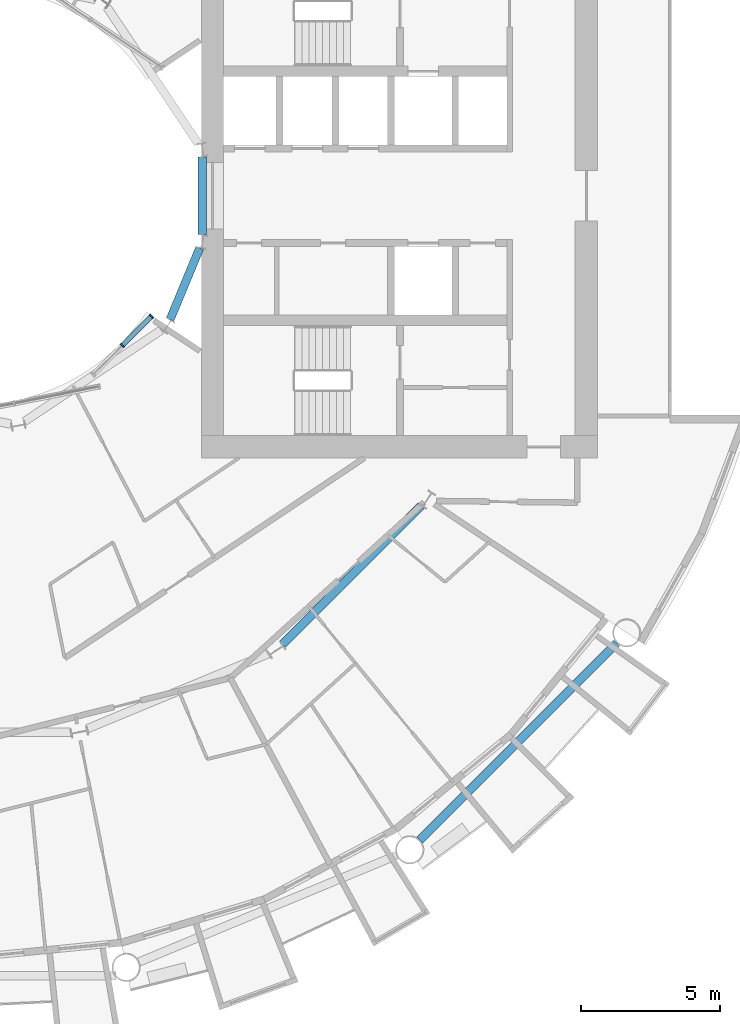
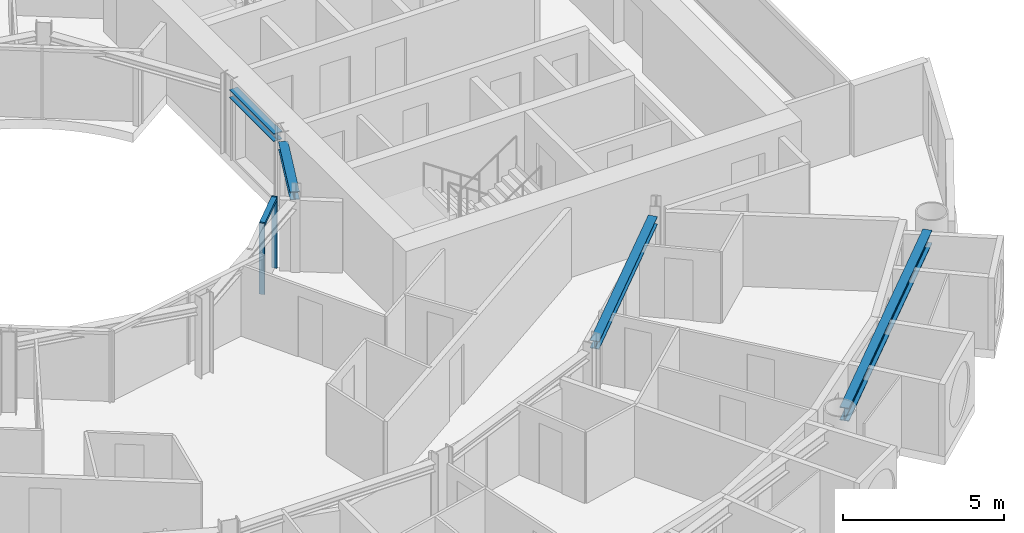
# One storey, part 6 of 26: 4 beams, 3 members, 1 element without a shape of its own.
"""IFC4 building model written with IfcOpenShell, lengths in metres."""

from ifc_helpers import new_model, si_unit, direction, frame, origin, origin_2d, place, context, subcontext, project, spatial, rectangle, i_section, extrude, material, layer, layer_set, material_profile, profile_set, type_object, element, aggregate, save


model = new_model("IFC4")

# Units and contexts
model_context = context("Model", 3, precision=1e-05, world=origin(), true_north=direction((0.0, 1.0)))
body_context = subcontext(model_context, "Body", "Model", "MODEL_VIEW")
ifc_project = project(units=[si_unit("LENGTHUNIT", "METRE"), si_unit("AREAUNIT", "SQUARE_METRE"), si_unit("VOLUMEUNIT", "CUBIC_METRE"), si_unit("PLANEANGLEUNIT", "RADIAN"), si_unit("MASSUNIT", "GRAM", prefix="KILO")], contexts=[model_context])

# Site, building, storey
site_placement = place(None, origin())
site = spatial("IfcSite", under=ifc_project, at=site_placement, CompositionType="ELEMENT")
building_placement = place(site_placement, origin())
building = spatial("IfcBuilding", under=site, at=building_placement, Name="Maasbend Ring Residences", CompositionType="ELEMENT")
storey_placement = place(building_placement, frame((0.0, 0.0, 31.949951171875)))
storey = spatial("IfcBuildingStorey", under=building, at=storey_placement, Name="L08", CompositionType="ELEMENT", Elevation=31.949951171875)

# Curtain wall, members
ifc_material_1 = material(Name="Aluminium and clear glass", Category="aluminium")
ifc_layer = layer(ifc_material_1, 0.179931640625)
ifc_layer_set = layer_set([ifc_layer], Name="CW-W")
curtain_wall_type = type_object("IfcCurtainWallType", Name="CW-W", PredefinedType="NOTDEFINED", material=ifc_layer_set)
curtain_wall_placement = place(storey_placement, origin())
curtain_wall = element("IfcCurtainWall", 1, at=curtain_wall_placement, inside=storey, type_object=curtain_wall_type, Name="Well curtain wall S3", PredefinedType="NOTDEFINED")
ifc_material_2 = material(Name="Aluminium 6063-T6", Category="aluminium")
ifc_material_profile_1 = material_profile(ifc_material_2, rectangle(XDim=0.179931640625, YDim=0.06005859375, at=origin_2d()), Name="AL 180x60")
ifc_profile_set_1 = profile_set([ifc_material_profile_1], Name="Aluminium 6063-T6")
member_type_1 = type_object("IfcMemberType", Name="CWM-W", PredefinedType="MULLION", material=ifc_profile_set_1)
member_1_placement = place(storey_placement, frame((5.366943359375, -5.366943359375, 0.0), z_axis=(0.0, 0.0, 1.0), x_axis=(-0.707106781187, 0.707106781187, 0.0)))
member_1 = element("IfcMember", 2, at=member_1_placement, type_object=member_type_1, Name="Mullion well face", PredefinedType="MULLION", context=body_context, shape_type="SweptSolid", body=[
    extrude(rectangle(XDim=0.179931640625, YDim=0.06005859375, at=origin_2d()), origin(), (0.0, 0.0, 1.0), 2.699951171875),
])
member_2_placement = place(storey_placement, frame((6.413330078125, -4.320556640625, 0.0), z_axis=(0.0, 0.0, 1.0), x_axis=(-0.707106781187, 0.707106781187, 0.0)))
member_2 = element("IfcMember", 3, at=member_2_placement, type_object=member_type_1, Name="Mullion well face", PredefinedType="MULLION", context=body_context, shape_type="SweptSolid", body=[
    extrude(rectangle(XDim=0.179931640625, YDim=0.06005859375, at=origin_2d()), origin(), (0.0, 0.0, 1.0), 2.699951171875),
])
ifc_material_3 = material(Name="Aluminium 6063-T6", Category="aluminium")
ifc_material_profile_2 = material_profile(ifc_material_3, rectangle(XDim=0.179931640625, YDim=0.1201171875, at=origin_2d()), Name="AL 180x120")
ifc_profile_set_2 = profile_set([ifc_material_profile_2], Name="Aluminium 6063-T6")
member_type_2 = type_object("IfcMemberType", Name="CWT-W", PredefinedType="USERDEFINED", material=ifc_profile_set_2)
member_3_placement = place(storey_placement, frame((5.38818359375, -5.345703125, 2.64013671875), z_axis=(0.707106781187, 0.707106781187, 0.0), x_axis=(-0.707106781187, 0.707106781187, 0.0)))
member_3 = element("IfcMember", 4, at=member_3_placement, type_object=member_type_2, Name="Transom well face", ObjectType="TRANSOM", PredefinedType="USERDEFINED", context=body_context, shape_type="SweptSolid", body=[
    extrude(rectangle(XDim=0.179931640625, YDim=0.1201171875, at=origin_2d()), origin(), (0.0, 0.0, 1.0), 1.419677734375),
])
aggregate(curtain_wall, [member_1, member_2, member_3])

# Beams
ifc_material_4 = material(Name="Steel S355J2", Category="steel")
ifc_material_profile_3 = material_profile(ifc_material_4, i_section(OverallWidth=0.300048828125, OverallDepth=0.300048828125, WebThickness=0.010986328125, FlangeThickness=0.01904296875, FilletRadius=0.027099609375, at=origin_2d()), Name="HEB 300")
ifc_profile_set_3 = profile_set([ifc_material_profile_3], Name="Steel S355J2")
beam_type_1 = type_object("IfcBeamType", Name="Corridor ring beam HEB 300", PredefinedType="BEAM", material=ifc_profile_set_3)
beam_1_placement = place(storey_placement, frame((11.11279296875, -16.0732421875, 2.550048828125), z_axis=(0.707106781187, 0.707106781187, 0.0), x_axis=(-0.707106781187, 0.707106781187, 0.0)))
element("IfcBeam", 5, at=beam_1_placement, inside=storey, type_object=beam_type_1, Name="Corridor ring beam", PredefinedType="BEAM", context=body_context, shape_type="SweptSolid", body=[
    extrude(i_section(OverallWidth=0.300048828125, OverallDepth=0.300048828125, WebThickness=0.010986328125, FlangeThickness=0.01904296875, FilletRadius=0.027099609375, at=origin_2d()), origin(), (0.0, 0.0, 1.0), 7.01513671875),
])
ifc_material_5 = material(Name="Steel S355J2", Category="steel")
ifc_material_profile_4 = material_profile(ifc_material_5, i_section(OverallWidth=0.300048828125, OverallDepth=0.5, WebThickness=0.014404296875, FlangeThickness=0.028076171875, FilletRadius=0.027099609375, at=origin_2d()), Name="HEB 500")
ifc_profile_set_4 = profile_set([ifc_material_profile_4], Name="Steel S355J2")
beam_type_2 = type_object("IfcBeamType", Name="Spandrel ring beam HEB 500", PredefinedType="SPANDREL", material=ifc_profile_set_4)
beam_2_placement = place(storey_placement, frame((16.0263671875, -23.088134765625, 2.449951171875), z_axis=(0.707106781187, 0.707106781187, 0.0), x_axis=(-0.707106781187, 0.707106781187, 0.0)))
element("IfcBeam", 6, at=beam_2_placement, inside=storey, type_object=beam_type_2, Name="Spandrel ring beam", PredefinedType="SPANDREL", context=body_context, shape_type="SweptSolid", body=[
    extrude(i_section(OverallWidth=0.300048828125, OverallDepth=0.5, WebThickness=0.014404296875, FlangeThickness=0.028076171875, FilletRadius=0.027099609375, at=origin_2d()), origin(), (0.0, 0.0, 1.0), 9.98681640625),
])
ifc_material_6 = material(Name="Steel S355J2", Category="steel")
ifc_material_profile_5 = material_profile(ifc_material_6, i_section(OverallWidth=0.300048828125, OverallDepth=0.300048828125, WebThickness=0.010986328125, FlangeThickness=0.01904296875, FilletRadius=0.027099609375, at=origin_2d()), Name="HEB 300")
ifc_profile_set_5 = profile_set([ifc_material_profile_5], Name="Steel S355J2")
beam_type_3 = type_object("IfcBeamType", Name="Well edge beam HEB 300", PredefinedType="BEAM", material=ifc_profile_set_5)
beam_3_placement = place(storey_placement, frame((7.081787109375, -4.431396484375, 2.550048828125), z_axis=(0.382723119906, 0.923863092395, 0.0), x_axis=(-0.923863092395, 0.382723119906, 0.0)))
element("IfcBeam", 7, at=beam_3_placement, inside=storey, type_object=beam_type_3, Name="Well edge beam", PredefinedType="BEAM", context=body_context, shape_type="SweptSolid", body=[
    extrude(i_section(OverallWidth=0.300048828125, OverallDepth=0.300048828125, WebThickness=0.010986328125, FlangeThickness=0.01904296875, FilletRadius=0.027099609375, at=origin_2d()), origin(), (0.0, 0.0, 1.0), 2.767822265625),
])
beam_4_placement = place(storey_placement, frame((8.238525390625, -1.3837890625, 2.550048828125), z_axis=(0.0, 1.0, 0.0), x_axis=(-1.0, 0.0, 0.0)))
element("IfcBeam", 8, at=beam_4_placement, inside=storey, type_object=beam_type_3, Name="Well edge beam", PredefinedType="BEAM", context=body_context, shape_type="SweptSolid", body=[
    extrude(i_section(OverallWidth=0.300048828125, OverallDepth=0.300048828125, WebThickness=0.010986328125, FlangeThickness=0.01904296875, FilletRadius=0.027099609375, at=origin_2d()), origin(), (0.0, 0.0, 1.0), 2.767578125),
])

save(model, "model.ifc")
